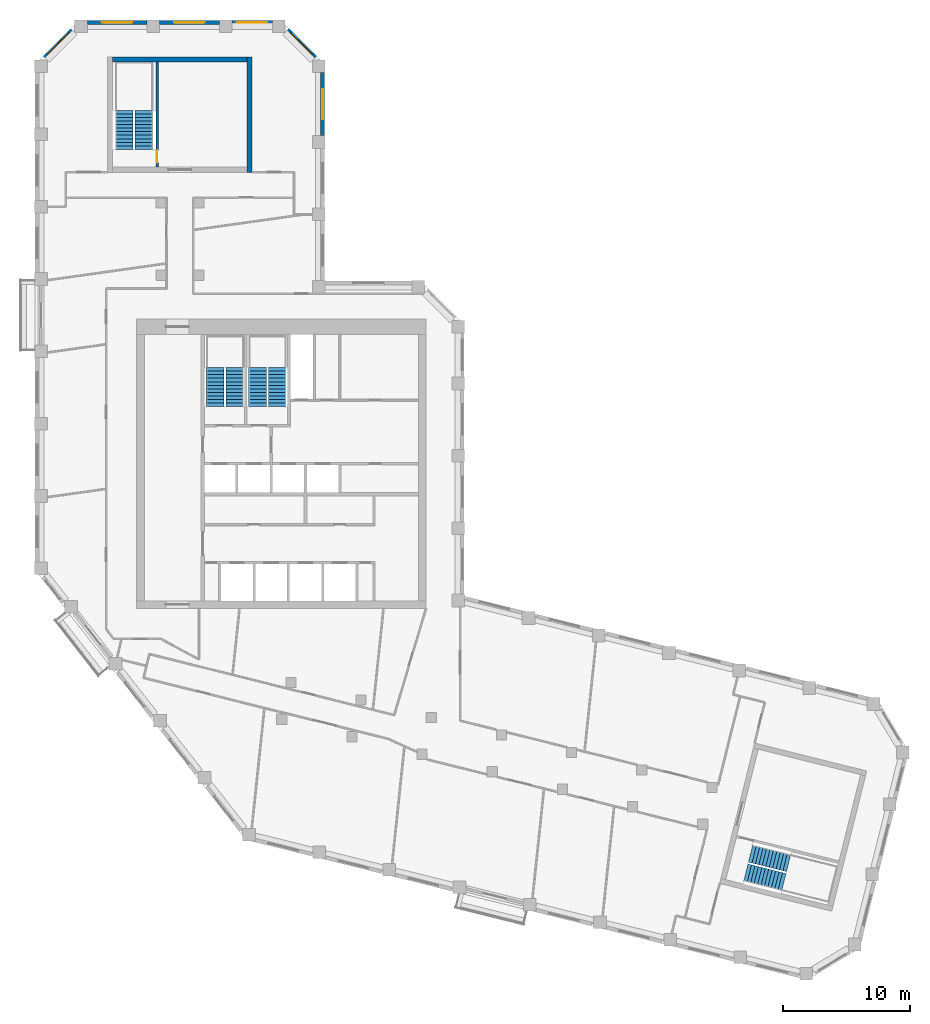
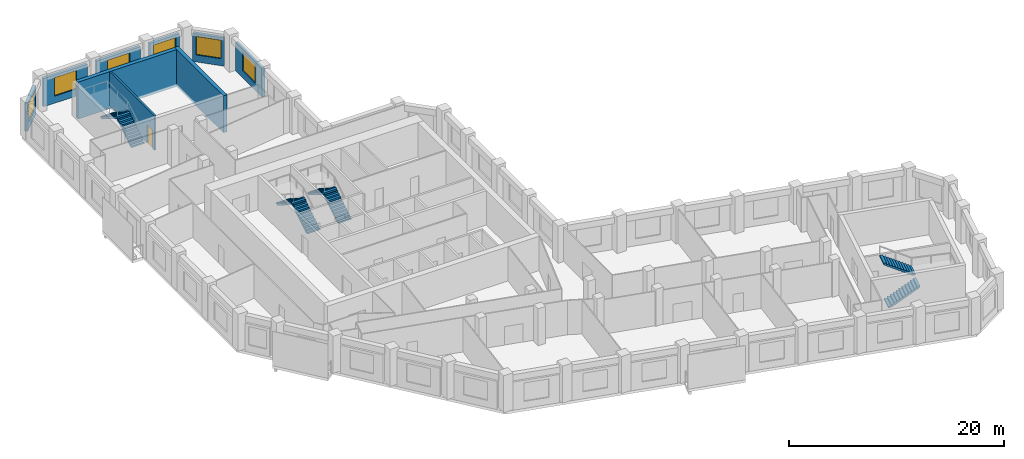
# One storey, part 8 of 9: 9 walls, 8 stair flights, 6 windows, 1 door, 7 openings, 4 elements without a shape of their own.
"""IFC4 building model written with IfcOpenShell, lengths in metres."""

from ifc_helpers import new_model, si_unit, direction, frame, frame_2d, origin, place, context, subcontext, project, spatial, polyline, rectangle, outline, extrude, material, layer, layer_set, type_object, element, fill, aggregate, save


model = new_model("IFC4")

# Units and contexts
model_context = context("Model", 3, precision=1e-05, world=origin(), true_north=direction((0.0, 1.0)))
body_context = subcontext(model_context, "Body", "Model", "MODEL_VIEW")
ifc_project = project(units=[si_unit("LENGTHUNIT", "METRE"), si_unit("AREAUNIT", "SQUARE_METRE"), si_unit("VOLUMEUNIT", "CUBIC_METRE"), si_unit("PLANEANGLEUNIT", "RADIAN"), si_unit("MASSUNIT", "GRAM", prefix="KILO")], contexts=[model_context])

# Site, building, storey
site_placement = place(None, origin())
site = spatial("IfcSite", under=ifc_project, at=site_placement, CompositionType="ELEMENT")
building_placement = place(site_placement, origin())
building = spatial("IfcBuilding", under=site, at=building_placement, Name="Meshkara Civic Tower", CompositionType="ELEMENT")
storey_placement = place(building_placement, frame((0.0, 0.0, 315.0)))
storey = spatial("IfcBuildingStorey", under=building, at=storey_placement, Name="L72", CompositionType="ELEMENT", Elevation=315.0)

# Wall, opening, window
ifc_material_1 = material(Name="Insulated infill panel with bronze anodised aluminium cladding", Category="aluminium")
ifc_layer_1 = layer(ifc_material_1, 0.300048828125)
ifc_layer_set_1 = layer_set([ifc_layer_1], Name="EXTERNAL INFILL WALL 300")
wall_type_1 = type_object("IfcWallType", Name="EXTERNAL INFILL WALL 300", PredefinedType="SOLIDWALL", material=ifc_layer_set_1)
wall_1_placement = place(storey_placement, frame((22.64990234375, 51.35009765625, 0.0), z_axis=(0.0, 0.0, 1.0), x_axis=(0.0, 1.0, 0.0)))
wall_1 = element("IfcWall", 1, at=wall_1_placement, inside=storey, type_object=wall_type_1, Name="External wall", PredefinedType="SOLIDWALL", context=body_context, shape_type="SweptSolid", body=[
    extrude(rectangle(XDim=4.9638671875, YDim=0.300048828125, at=frame_2d((2.48193359375, 0.0))), origin(), (0.0, 0.0, 1.0), 3.199951171875),
])
opening_1_placement = place(wall_1_placement, frame((1.281982421875, 0.0, 0.800048828125)))
opening_1 = element("IfcOpeningElement", 2, at=opening_1_placement, cuts=wall_1, Name="Opening W7", PredefinedType="OPENING", context=body_context, shape_type="SweptSolid", body=[
    extrude(rectangle(XDim=2.39990234375, YDim=2.10009765625, at=frame_2d((1.199951171875, 1.050048828125))), frame((0.0, 0.159912109375, 0.0), z_axis=(0.0, -1.0, 0.0), x_axis=(1.0, 0.0, 0.0)), (0.0, 0.0, 1.0), 0.320068359375),
])
ifc_material_2 = material(Name="Tinted double glazing", Category="glass")
window_type = type_object("IfcWindowType", Name="WINDOW 2400x2100", PartitioningType="DOUBLE_PANEL_VERTICAL", PredefinedType="WINDOW", material=ifc_material_2)
window_1_placement = place(opening_1_placement, origin())
window_1 = element("IfcWindow", 3, at=window_1_placement, inside=storey, type_object=window_type, Name="Window", OverallHeight=2.10009765625, OverallWidth=2.39990234375, PartitioningType="DOUBLE_PANEL_VERTICAL", PredefinedType="WINDOW", context=body_context, shape_type="SweptSolid", body=[
    extrude(rectangle(XDim=2.39990234375, YDim=2.10009765625, at=frame_2d((1.199951171875, 1.050048828125))), frame((0.0, 0.030029296875, 0.0), z_axis=(0.0, -1.0, 0.0), x_axis=(1.0, 0.0, 0.0)), (0.0, 0.0, 1.0), 0.06005859375),
])
fill(opening_1, window_1)

wall_2_placement = place(storey_placement, frame((22.06201171875, 57.52587890625, 0.0), z_axis=(0.0, 0.0, 1.0), x_axis=(-0.707106781187, 0.707106781187, 0.0)))
wall_2 = element("IfcWall", 4, at=wall_2_placement, inside=storey, type_object=wall_type_1, Name="External wall", PredefinedType="SOLIDWALL", context=body_context, shape_type="SweptSolid", body=[
    extrude(rectangle(XDim=3.049072265625, YDim=0.300048828125, at=frame_2d((1.5244140625, 0.0))), origin(), (0.0, 0.0, 1.0), 3.199951171875),
])
opening_2_placement = place(wall_2_placement, frame((0.324951171875, 0.0, 0.800048828125)))
opening_2 = element("IfcOpeningElement", 5, at=opening_2_placement, cuts=wall_2, Name="Opening W7", PredefinedType="OPENING", context=body_context, shape_type="SweptSolid", body=[
    extrude(rectangle(XDim=2.39990234375, YDim=2.10009765625, at=frame_2d((1.199951171875, 1.050048828125))), frame((0.0, 0.159912109375, 0.0), z_axis=(0.0, -1.0, 0.0), x_axis=(1.0, 0.0, 0.0)), (0.0, 0.0, 1.0), 0.320068359375),
])
window_2_placement = place(opening_2_placement, origin())
window_2 = element("IfcWindow", 6, at=window_2_placement, inside=storey, type_object=window_type, Name="Window", OverallHeight=2.10009765625, OverallWidth=2.39990234375, PartitioningType="DOUBLE_PANEL_VERTICAL", PredefinedType="WINDOW", context=body_context, shape_type="SweptSolid", body=[
    extrude(rectangle(XDim=2.39990234375, YDim=2.10009765625, at=frame_2d((1.199951171875, 1.050048828125))), frame((0.0, 0.030029296875, 0.0), z_axis=(0.0, -1.0, 0.0), x_axis=(1.0, 0.0, 0.0)), (0.0, 0.0, 1.0), 0.06005859375),
])
fill(opening_2, window_2)

wall_3_placement = place(storey_placement, frame((18.694091796875, 60.27001953125, 0.0), z_axis=(0.0, 0.0, 1.0), x_axis=(-1.0, 0.0, 0.0)))
wall_3 = element("IfcWall", 7, at=wall_3_placement, inside=storey, type_object=wall_type_1, Name="External wall", PredefinedType="SOLIDWALL", context=body_context, shape_type="SweptSolid", body=[
    extrude(rectangle(XDim=3.18798828125, YDim=0.300048828125, at=frame_2d((1.593994140625, 0.0))), origin(), (0.0, 0.0, 1.0), 3.199951171875),
])
opening_3_placement = place(wall_3_placement, frame((0.39404296875, 0.0, 0.800048828125)))
opening_3 = element("IfcOpeningElement", 8, at=opening_3_placement, cuts=wall_3, Name="Opening W7", PredefinedType="OPENING", context=body_context, shape_type="SweptSolid", body=[
    extrude(rectangle(XDim=2.39990234375, YDim=2.10009765625, at=frame_2d((1.199951171875, 1.050048828125))), frame((0.0, 0.159912109375, 0.0), z_axis=(0.0, -1.0, 0.0), x_axis=(1.0, 0.0, 0.0)), (0.0, 0.0, 1.0), 0.320068359375),
])
window_3_placement = place(opening_3_placement, origin())
window_3 = element("IfcWindow", 9, at=window_3_placement, inside=storey, type_object=window_type, Name="Window", OverallHeight=2.10009765625, OverallWidth=2.39990234375, PartitioningType="DOUBLE_PANEL_VERTICAL", PredefinedType="WINDOW", context=body_context, shape_type="SweptSolid", body=[
    extrude(rectangle(XDim=2.39990234375, YDim=2.10009765625, at=frame_2d((1.199951171875, 1.050048828125))), frame((0.0, 0.030029296875, 0.0), z_axis=(0.0, -1.0, 0.0), x_axis=(1.0, 0.0, 0.0)), (0.0, 0.0, 1.0), 0.06005859375),
])
fill(opening_3, window_3)

wall_4_placement = place(storey_placement, frame((14.506103515625, 60.27001953125, 0.0), z_axis=(0.0, 0.0, 1.0), x_axis=(-1.0, 0.0, 0.0)))
wall_4 = element("IfcWall", 10, at=wall_4_placement, inside=storey, type_object=wall_type_1, Name="External wall", PredefinedType="SOLIDWALL", context=body_context, shape_type="SweptSolid", body=[
    extrude(rectangle(XDim=4.7001953125, YDim=0.300048828125, at=frame_2d((2.35009765625, 0.0))), origin(), (0.0, 0.0, 1.0), 3.199951171875),
])
opening_4_placement = place(wall_4_placement, frame((1.14990234375, 0.0, 0.800048828125)))
opening_4 = element("IfcOpeningElement", 11, at=opening_4_placement, cuts=wall_4, Name="Opening W7", PredefinedType="OPENING", context=body_context, shape_type="SweptSolid", body=[
    extrude(rectangle(XDim=2.39990234375, YDim=2.10009765625, at=frame_2d((1.199951171875, 1.050048828125))), frame((0.0, 0.159912109375, 0.0), z_axis=(0.0, -1.0, 0.0), x_axis=(1.0, 0.0, 0.0)), (0.0, 0.0, 1.0), 0.320068359375),
])
window_4_placement = place(opening_4_placement, origin())
window_4 = element("IfcWindow", 12, at=window_4_placement, inside=storey, type_object=window_type, Name="Window", OverallHeight=2.10009765625, OverallWidth=2.39990234375, PartitioningType="DOUBLE_PANEL_VERTICAL", PredefinedType="WINDOW", context=body_context, shape_type="SweptSolid", body=[
    extrude(rectangle(XDim=2.39990234375, YDim=2.10009765625, at=frame_2d((1.199951171875, 1.050048828125))), frame((0.0, 0.030029296875, 0.0), z_axis=(0.0, -1.0, 0.0), x_axis=(1.0, 0.0, 0.0)), (0.0, 0.0, 1.0), 0.06005859375),
])
fill(opening_4, window_4)

wall_5_placement = place(storey_placement, frame((8.805908203125, 60.27001953125, 0.0), z_axis=(0.0, 0.0, 1.0), x_axis=(-1.0, 0.0, 0.0)))
wall_5 = element("IfcWall", 13, at=wall_5_placement, inside=storey, type_object=wall_type_1, Name="External wall", PredefinedType="SOLIDWALL", context=body_context, shape_type="SweptSolid", body=[
    extrude(rectangle(XDim=4.699951171875, YDim=0.300048828125, at=frame_2d((2.35009765625, 0.0))), origin(), (0.0, 0.0, 1.0), 3.199951171875),
])
opening_5_placement = place(wall_5_placement, frame((1.14990234375, 0.0, 0.800048828125)))
opening_5 = element("IfcOpeningElement", 14, at=opening_5_placement, cuts=wall_5, Name="Opening W7", PredefinedType="OPENING", context=body_context, shape_type="SweptSolid", body=[
    extrude(rectangle(XDim=2.39990234375, YDim=2.10009765625, at=frame_2d((1.199951171875, 1.050048828125))), frame((0.0, 0.159912109375, 0.0), z_axis=(0.0, -1.0, 0.0), x_axis=(1.0, 0.0, 0.0)), (0.0, 0.0, 1.0), 0.320068359375),
])
window_5_placement = place(opening_5_placement, origin())
window_5 = element("IfcWindow", 15, at=window_5_placement, inside=storey, type_object=window_type, Name="Window", OverallHeight=2.10009765625, OverallWidth=2.39990234375, PartitioningType="DOUBLE_PANEL_VERTICAL", PredefinedType="WINDOW", context=body_context, shape_type="SweptSolid", body=[
    extrude(rectangle(XDim=2.39990234375, YDim=2.10009765625, at=frame_2d((1.199951171875, 1.050048828125))), frame((0.0, 0.030029296875, 0.0), z_axis=(0.0, -1.0, 0.0), x_axis=(1.0, 0.0, 0.0)), (0.0, 0.0, 1.0), 0.06005859375),
])
fill(opening_5, window_5)

wall_6_placement = place(storey_placement, frame((2.89404296875, 59.681884765625, 0.0), z_axis=(0.0, 0.0, 1.0), x_axis=(-0.707106781187, -0.707106781187, 0.0)))
wall_6 = element("IfcWall", 16, at=wall_6_placement, inside=storey, type_object=wall_type_1, Name="External wall", PredefinedType="SOLIDWALL", context=body_context, shape_type="SweptSolid", body=[
    extrude(rectangle(XDim=3.049072265625, YDim=0.300048828125, at=frame_2d((1.5244140625, 0.0))), origin(), (0.0, 0.0, 1.0), 3.199951171875),
])
opening_6_placement = place(wall_6_placement, frame((0.324951171875, 0.0, 0.800048828125)))
opening_6 = element("IfcOpeningElement", 17, at=opening_6_placement, cuts=wall_6, Name="Opening W7", PredefinedType="OPENING", context=body_context, shape_type="SweptSolid", body=[
    extrude(rectangle(XDim=2.39990234375, YDim=2.10009765625, at=frame_2d((1.199951171875, 1.050048828125))), frame((0.0, 0.159912109375, 0.0), z_axis=(0.0, -1.0, 0.0), x_axis=(1.0, 0.0, 0.0)), (0.0, 0.0, 1.0), 0.320068359375),
])
window_6_placement = place(opening_6_placement, origin())
window_6 = element("IfcWindow", 18, at=window_6_placement, inside=storey, type_object=window_type, Name="Window", OverallHeight=2.10009765625, OverallWidth=2.39990234375, PartitioningType="DOUBLE_PANEL_VERTICAL", PredefinedType="WINDOW", context=body_context, shape_type="SweptSolid", body=[
    extrude(rectangle(XDim=2.39990234375, YDim=2.10009765625, at=frame_2d((1.199951171875, 1.050048828125))), frame((0.0, 0.030029296875, 0.0), z_axis=(0.0, -1.0, 0.0), x_axis=(1.0, 0.0, 0.0)), (0.0, 0.0, 1.0), 0.06005859375),
])
fill(opening_6, window_6)

# Walls
ifc_material_3 = material(Name="Concrete C60", Category="concrete")
ifc_layer_2 = layer(ifc_material_3, 0.39990234375)
ifc_layer_set_2 = layer_set([ifc_layer_2], Name="End core ring wall 400 C60")
wall_type_2 = type_object("IfcWallType", Name="End core ring wall 400 C60", PredefinedType="SHEAR", material=ifc_layer_set_2)
wall_7_placement = place(storey_placement, frame((16.89990234375, 48.469970703125, -0.300048828125), z_axis=(0.0, 0.0, 1.0), x_axis=(0.0, 1.0, 0.0)))
element("IfcWall", 19, at=wall_7_placement, inside=storey, type_object=wall_type_2, Name="L72-C028", PredefinedType="SHEAR", context=body_context, shape_type="SweptSolid", body=[
    extrude(rectangle(XDim=9.10009765625, YDim=0.39990234375, at=frame_2d((4.550048828125, 0.0))), origin(), (0.0, 0.0, 1.0), 4.199951171875),
])
wall_8_placement = place(storey_placement, frame((6.10009765625, 57.3701171875, -0.300048828125), z_axis=(0.0, 0.0, 1.0), x_axis=(1.0, 0.0, 0.0)))
element("IfcWall", 20, at=wall_8_placement, inside=storey, type_object=wall_type_2, Name="L72-C030", PredefinedType="SHEAR", context=body_context, shape_type="SweptSolid", body=[
    extrude(rectangle(XDim=10.599853515625, YDim=0.39990234375, at=frame_2d((5.2998046875, 0.0))), origin(), (0.0, 0.0, 1.0), 4.199951171875),
])

# Wall, opening, door
ifc_material_4 = material(Name="Concrete C40/50", Category="concrete")
ifc_layer_3 = layer(ifc_material_4, 0.199951171875)
ifc_layer_set_3 = layer_set([ifc_layer_3], Name="Stair enclosure wall 200 C40/50")
wall_type_3 = type_object("IfcWallType", Name="Stair enclosure wall 200 C40/50", PredefinedType="SOLIDWALL", material=ifc_layer_set_3)
wall_9_placement = place(storey_placement, frame((9.60009765625, 48.8701171875, 0.0), z_axis=(0.0, 0.0, 1.0), x_axis=(0.0, 1.0, 0.0)))
wall_9 = element("IfcWall", 21, at=wall_9_placement, inside=storey, type_object=wall_type_3, Name="L72-C031", PredefinedType="SOLIDWALL", context=body_context, shape_type="SweptSolid", body=[
    extrude(rectangle(XDim=8.2998046875, YDim=0.199951171875, at=frame_2d((4.14990234375, 0.0))), origin(), (0.0, 0.0, 1.0), 3.89990234375),
])
opening_7_placement = place(wall_9_placement, frame((0.35009765625, 0.0, 0.0)))
opening_7 = element("IfcOpeningElement", 22, at=opening_7_placement, cuts=wall_9, Name="Opening L72-K101", PredefinedType="OPENING", context=body_context, shape_type="SweptSolid", body=[
    extrude(rectangle(XDim=1.0, YDim=2.10009765625, at=frame_2d((0.5, 1.050048828125))), frame((0.0, 0.10986328125, 0.0), z_axis=(0.0, -1.0, 0.0), x_axis=(1.0, 0.0, 0.0)), (0.0, 0.0, 1.0), 0.219970703125),
])
ifc_material_5 = material(Name="Fire-rated door leaf in steel frame", Category="steel")
door_type = type_object("IfcDoorType", Name="Stair door 1000 EI 120", OperationType="SINGLE_SWING_LEFT", PredefinedType="DOOR", material=ifc_material_5)
door_placement = place(opening_7_placement, origin())
door = element("IfcDoor", 23, at=door_placement, inside=storey, type_object=door_type, Name="L72-K101", OperationType="SINGLE_SWING_RIGHT", OverallHeight=2.10009765625, OverallWidth=1.0, PredefinedType="DOOR", context=body_context, shape_type="SweptSolid", body=[
    extrude(rectangle(XDim=1.0, YDim=2.10009765625, at=frame_2d((0.5, 1.050048828125))), frame((0.0, 0.02490234375, 0.0), z_axis=(0.0, -1.0, 0.0), x_axis=(1.0, 0.0, 0.0)), (0.0, 0.0, 1.0), 0.050048828125),
])
fill(opening_7, door)

# Stair, stair flights
ifc_material_6 = material(Name="Precast concrete C40/50", Category="concrete")
stair_type = type_object("IfcStairType", Name="Exit stair half-turn 24 risers precast", PredefinedType="HALF_TURN_STAIR", material=ifc_material_6)
stair_1_placement = place(storey_placement, origin())
stair_1 = element("IfcStair", 24, at=stair_1_placement, inside=storey, type_object=stair_type, Name="L72 exit stair 1", PredefinedType="HALF_TURN_STAIR")
ifc_material_7 = material(Name="Precast concrete C40/50", Category="concrete")
stair_flight_type = type_object("IfcStairFlightType", Name="Exit stair flight 12 risers precast", PredefinedType="STRAIGHT", material=ifc_material_7)
stair_flight_1_placement = place(storey_placement, frame((15.72509765625, 30.0, 0.0), z_axis=(0.0, 0.0, 1.0), x_axis=(0.0, 1.0, 0.0)))
stair_flight_1 = element("IfcStairFlight", 25, at=stair_flight_1_placement, type_object=stair_flight_type, Name="ST1 flight 1", NumberOfRisers=12, NumberOfTreads=11, PredefinedType="STRAIGHT", RiserHeight=0.175, TreadLength=0.28, context=body_context, shape_type="SweptSolid", body=[
    extrude(outline(polyline([(0.0, 0.0), (0.0, 0.175048828125), (0.280029296875, 0.175048828125), (0.280029296875, 0.35009765625), (0.56005859375, 0.35009765625), (0.56005859375, 0.52490234375), (0.840087890625, 0.52490234375), (0.840087890625, 0.699951171875), (1.1201171875, 0.699951171875), (1.1201171875, 0.875), (1.39990234375, 0.875), (1.39990234375, 1.050048828125), (1.679931640625, 1.050048828125), (1.679931640625, 1.22509765625), (1.9599609375, 1.22509765625), (1.9599609375, 1.39990234375), (2.239990234375, 1.39990234375), (2.239990234375, 1.574951171875), (2.52001953125, 1.574951171875), (2.52001953125, 1.75), (2.800048828125, 1.75), (2.800048828125, 1.925048828125), (3.080078125, 1.925048828125), (3.080078125, 2.10009765625), (3.080078125, 1.748291015625), (0.28271484375, 0.0), (0.0, 0.0)])), frame((0.0, 0.699951171875, 0.0), z_axis=(0.0, -1.0, 0.0), x_axis=(1.0, 0.0, 0.0)), (0.0, 0.0, 1.0), 1.39990234375),
])
stair_flight_2_placement = place(storey_placement, frame((14.175048828125, 33.080078125, 2.10009765625), z_axis=(0.0, 0.0, 1.0), x_axis=(0.0, -1.0, 0.0)))
stair_flight_2 = element("IfcStairFlight", 26, at=stair_flight_2_placement, type_object=stair_flight_type, Name="ST1 flight 2", NumberOfRisers=12, NumberOfTreads=11, PredefinedType="STRAIGHT", RiserHeight=0.175, TreadLength=0.28, context=body_context, shape_type="SweptSolid", body=[
    extrude(outline(polyline([(0.0, 0.0), (0.0, 0.175048828125), (0.280029296875, 0.175048828125), (0.280029296875, 0.35009765625), (0.56005859375, 0.35009765625), (0.56005859375, 0.52490234375), (0.840087890625, 0.52490234375), (0.840087890625, 0.699951171875), (1.1201171875, 0.699951171875), (1.1201171875, 0.875), (1.39990234375, 0.875), (1.39990234375, 1.050048828125), (1.679931640625, 1.050048828125), (1.679931640625, 1.22509765625), (1.9599609375, 1.22509765625), (1.9599609375, 1.39990234375), (2.239990234375, 1.39990234375), (2.239990234375, 1.574951171875), (2.52001953125, 1.574951171875), (2.52001953125, 1.75), (2.800048828125, 1.75), (2.800048828125, 1.925048828125), (3.080078125, 1.925048828125), (3.080078125, 2.10009765625), (3.080078125, 1.748291015625), (0.28271484375, 0.0), (0.0, 0.0)])), frame((0.0, 0.699951171875, 0.0), z_axis=(0.0, -1.0, 0.0), x_axis=(1.0, 0.0, 0.0)), (0.0, 0.0, 1.0), 1.39990234375),
])
aggregate(stair_1, [stair_flight_1, stair_flight_2])

stair_2_placement = place(storey_placement, origin())
stair_2 = element("IfcStair", 27, at=stair_2_placement, inside=storey, type_object=stair_type, Name="L72 exit stair 2", PredefinedType="HALF_TURN_STAIR")
stair_flight_3_placement = place(storey_placement, frame((19.074951171875, 30.0, 0.0), z_axis=(0.0, 0.0, 1.0), x_axis=(0.0, 1.0, 0.0)))
stair_flight_3 = element("IfcStairFlight", 28, at=stair_flight_3_placement, type_object=stair_flight_type, Name="ST2 flight 1", NumberOfRisers=12, NumberOfTreads=11, PredefinedType="STRAIGHT", RiserHeight=0.175, TreadLength=0.28, context=body_context, shape_type="SweptSolid", body=[
    extrude(outline(polyline([(0.0, 0.0), (0.0, 0.175048828125), (0.280029296875, 0.175048828125), (0.280029296875, 0.35009765625), (0.56005859375, 0.35009765625), (0.56005859375, 0.52490234375), (0.840087890625, 0.52490234375), (0.840087890625, 0.699951171875), (1.1201171875, 0.699951171875), (1.1201171875, 0.875), (1.39990234375, 0.875), (1.39990234375, 1.050048828125), (1.679931640625, 1.050048828125), (1.679931640625, 1.22509765625), (1.9599609375, 1.22509765625), (1.9599609375, 1.39990234375), (2.239990234375, 1.39990234375), (2.239990234375, 1.574951171875), (2.52001953125, 1.574951171875), (2.52001953125, 1.75), (2.800048828125, 1.75), (2.800048828125, 1.925048828125), (3.080078125, 1.925048828125), (3.080078125, 2.10009765625), (3.080078125, 1.748291015625), (0.28271484375, 0.0), (0.0, 0.0)])), frame((0.0, 0.699951171875, 0.0), z_axis=(0.0, -1.0, 0.0), x_axis=(1.0, 0.0, 0.0)), (0.0, 0.0, 1.0), 1.39990234375),
])
stair_flight_4_placement = place(storey_placement, frame((17.52490234375, 33.080078125, 2.10009765625), z_axis=(0.0, 0.0, 1.0), x_axis=(0.0, -1.0, 0.0)))
stair_flight_4 = element("IfcStairFlight", 29, at=stair_flight_4_placement, type_object=stair_flight_type, Name="ST2 flight 2", NumberOfRisers=12, NumberOfTreads=11, PredefinedType="STRAIGHT", RiserHeight=0.175, TreadLength=0.28, context=body_context, shape_type="SweptSolid", body=[
    extrude(outline(polyline([(0.0, 0.0), (0.0, 0.175048828125), (0.280029296875, 0.175048828125), (0.280029296875, 0.35009765625), (0.56005859375, 0.35009765625), (0.56005859375, 0.52490234375), (0.840087890625, 0.52490234375), (0.840087890625, 0.699951171875), (1.1201171875, 0.699951171875), (1.1201171875, 0.875), (1.39990234375, 0.875), (1.39990234375, 1.050048828125), (1.679931640625, 1.050048828125), (1.679931640625, 1.22509765625), (1.9599609375, 1.22509765625), (1.9599609375, 1.39990234375), (2.239990234375, 1.39990234375), (2.239990234375, 1.574951171875), (2.52001953125, 1.574951171875), (2.52001953125, 1.75), (2.800048828125, 1.75), (2.800048828125, 1.925048828125), (3.080078125, 1.925048828125), (3.080078125, 2.10009765625), (3.080078125, 1.748291015625), (0.28271484375, 0.0), (0.0, 0.0)])), frame((0.0, 0.699951171875, 0.0), z_axis=(0.0, -1.0, 0.0), x_axis=(1.0, 0.0, 0.0)), (0.0, 0.0, 1.0), 1.39990234375),
])
aggregate(stair_2, [stair_flight_3, stair_flight_4])

stair_3_placement = place(storey_placement, origin())
stair_3 = element("IfcStair", 30, at=stair_3_placement, inside=storey, type_object=stair_type, Name="L72 exit stair A from L65", PredefinedType="HALF_TURN_STAIR")
stair_flight_5_placement = place(storey_placement, frame((8.574951171875, 50.27001953125, 0.0), z_axis=(0.0, 0.0, 1.0), x_axis=(0.0, 1.0, 0.0)))
stair_flight_5 = element("IfcStairFlight", 31, at=stair_flight_5_placement, type_object=stair_flight_type, Name="ESA5 flight 1", NumberOfRisers=12, NumberOfTreads=11, PredefinedType="STRAIGHT", RiserHeight=0.175, TreadLength=0.28, context=body_context, shape_type="SweptSolid", body=[
    extrude(outline(polyline([(0.0, 0.0), (0.0, 0.175048828125), (0.280029296875, 0.175048828125), (0.280029296875, 0.35009765625), (0.56005859375, 0.35009765625), (0.56005859375, 0.52490234375), (0.840087890625, 0.52490234375), (0.840087890625, 0.699951171875), (1.1201171875, 0.699951171875), (1.1201171875, 0.875), (1.39990234375, 0.875), (1.39990234375, 1.050048828125), (1.679931640625, 1.050048828125), (1.679931640625, 1.22509765625), (1.9599609375, 1.22509765625), (1.9599609375, 1.39990234375), (2.239990234375, 1.39990234375), (2.239990234375, 1.574951171875), (2.52001953125, 1.574951171875), (2.52001953125, 1.75), (2.800048828125, 1.75), (2.800048828125, 1.925048828125), (3.080078125, 1.925048828125), (3.080078125, 2.10009765625), (3.080078125, 1.748291015625), (0.28271484375, 0.0), (0.0, 0.0)])), frame((0.0, 0.699951171875, 0.0), z_axis=(0.0, -1.0, 0.0), x_axis=(1.0, 0.0, 0.0)), (0.0, 0.0, 1.0), 1.39990234375),
])
stair_flight_6_placement = place(storey_placement, frame((7.02490234375, 53.35009765625, 2.10009765625), z_axis=(0.0, 0.0, 1.0), x_axis=(0.0, -1.0, 0.0)))
stair_flight_6 = element("IfcStairFlight", 32, at=stair_flight_6_placement, type_object=stair_flight_type, Name="ESA5 flight 2", NumberOfRisers=12, NumberOfTreads=11, PredefinedType="STRAIGHT", RiserHeight=0.175, TreadLength=0.28, context=body_context, shape_type="SweptSolid", body=[
    extrude(outline(polyline([(0.0, 0.0), (0.0, 0.175048828125), (0.280029296875, 0.175048828125), (0.280029296875, 0.35009765625), (0.56005859375, 0.35009765625), (0.56005859375, 0.52490234375), (0.840087890625, 0.52490234375), (0.840087890625, 0.699951171875), (1.1201171875, 0.699951171875), (1.1201171875, 0.875), (1.39990234375, 0.875), (1.39990234375, 1.050048828125), (1.679931640625, 1.050048828125), (1.679931640625, 1.22509765625), (1.9599609375, 1.22509765625), (1.9599609375, 1.39990234375), (2.239990234375, 1.39990234375), (2.239990234375, 1.574951171875), (2.52001953125, 1.574951171875), (2.52001953125, 1.75), (2.800048828125, 1.75), (2.800048828125, 1.925048828125), (3.080078125, 1.925048828125), (3.080078125, 2.10009765625), (3.080078125, 1.748291015625), (0.28271484375, 0.0), (0.0, 0.0)])), frame((0.0, 0.699951171875, 0.0), z_axis=(0.0, -1.0, 0.0), x_axis=(1.0, 0.0, 0.0)), (0.0, 0.0, 1.0), 1.39990234375),
])
aggregate(stair_3, [stair_flight_5, stair_flight_6])

stair_4_placement = place(storey_placement, origin())
stair_4 = element("IfcStair", 33, at=stair_4_placement, inside=storey, type_object=stair_type, Name="L72 exit stair B from L65", PredefinedType="HALF_TURN_STAIR")
stair_flight_7_placement = place(storey_placement, frame((56.0068359375, -6.723876953125, 0.0), z_axis=(0.0, 0.0, 1.0), x_axis=(0.970260066579, -0.242064873955, 0.0)))
stair_flight_7 = element("IfcStairFlight", 34, at=stair_flight_7_placement, type_object=stair_flight_type, Name="ESB5 flight 1", NumberOfRisers=12, NumberOfTreads=11, PredefinedType="STRAIGHT", RiserHeight=0.175, TreadLength=0.28, context=body_context, shape_type="SweptSolid", body=[
    extrude(outline(polyline([(0.0, 0.0), (0.0, 0.175048828125), (0.280029296875, 0.175048828125), (0.280029296875, 0.35009765625), (0.56005859375, 0.35009765625), (0.56005859375, 0.52490234375), (0.840087890625, 0.52490234375), (0.840087890625, 0.699951171875), (1.1201171875, 0.699951171875), (1.1201171875, 0.875), (1.39990234375, 0.875), (1.39990234375, 1.050048828125), (1.679931640625, 1.050048828125), (1.679931640625, 1.22509765625), (1.9599609375, 1.22509765625), (1.9599609375, 1.39990234375), (2.239990234375, 1.39990234375), (2.239990234375, 1.574951171875), (2.52001953125, 1.574951171875), (2.52001953125, 1.75), (2.800048828125, 1.75), (2.800048828125, 1.925048828125), (3.080078125, 1.925048828125), (3.080078125, 2.10009765625), (3.080078125, 1.748291015625), (0.28271484375, 0.0), (0.0, 0.0)])), frame((0.0, 0.699951171875, 0.0), z_axis=(0.0, -1.0, 0.0), x_axis=(1.0, 0.0, 0.0)), (0.0, 0.0, 1.0), 1.39990234375),
])
stair_flight_8_placement = place(storey_placement, frame((59.370361328125, -5.965576171875, 2.10009765625), z_axis=(0.0, 0.0, 1.0), x_axis=(-0.970260066579, 0.242064873955, 0.0)))
stair_flight_8 = element("IfcStairFlight", 35, at=stair_flight_8_placement, type_object=stair_flight_type, Name="ESB5 flight 2", NumberOfRisers=12, NumberOfTreads=11, PredefinedType="STRAIGHT", RiserHeight=0.175, TreadLength=0.28, context=body_context, shape_type="SweptSolid", body=[
    extrude(outline(polyline([(0.0, 0.0), (0.0, 0.175048828125), (0.280029296875, 0.175048828125), (0.280029296875, 0.35009765625), (0.56005859375, 0.35009765625), (0.56005859375, 0.52490234375), (0.840087890625, 0.52490234375), (0.840087890625, 0.699951171875), (1.1201171875, 0.699951171875), (1.1201171875, 0.875), (1.39990234375, 0.875), (1.39990234375, 1.050048828125), (1.679931640625, 1.050048828125), (1.679931640625, 1.22509765625), (1.9599609375, 1.22509765625), (1.9599609375, 1.39990234375), (2.239990234375, 1.39990234375), (2.239990234375, 1.574951171875), (2.52001953125, 1.574951171875), (2.52001953125, 1.75), (2.800048828125, 1.75), (2.800048828125, 1.925048828125), (3.080078125, 1.925048828125), (3.080078125, 2.10009765625), (3.080078125, 1.748291015625), (0.28271484375, 0.0), (0.0, 0.0)])), frame((0.0, 0.699951171875, 0.0), z_axis=(0.0, -1.0, 0.0), x_axis=(1.0, 0.0, 0.0)), (0.0, 0.0, 1.0), 1.39990234375),
])
aggregate(stair_4, [stair_flight_7, stair_flight_8])

save(model, "model.ifc")
